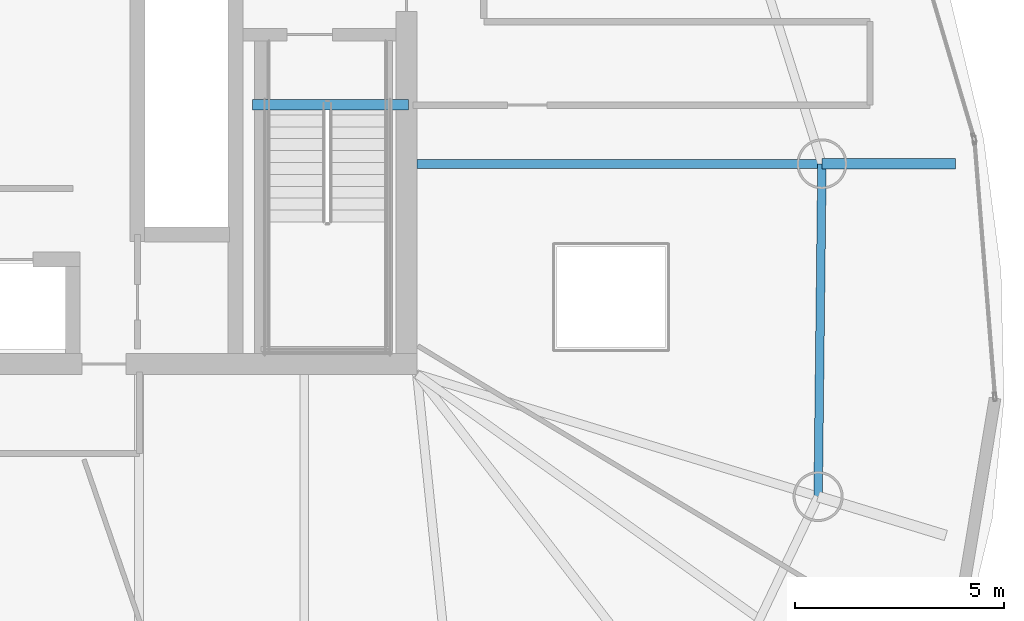
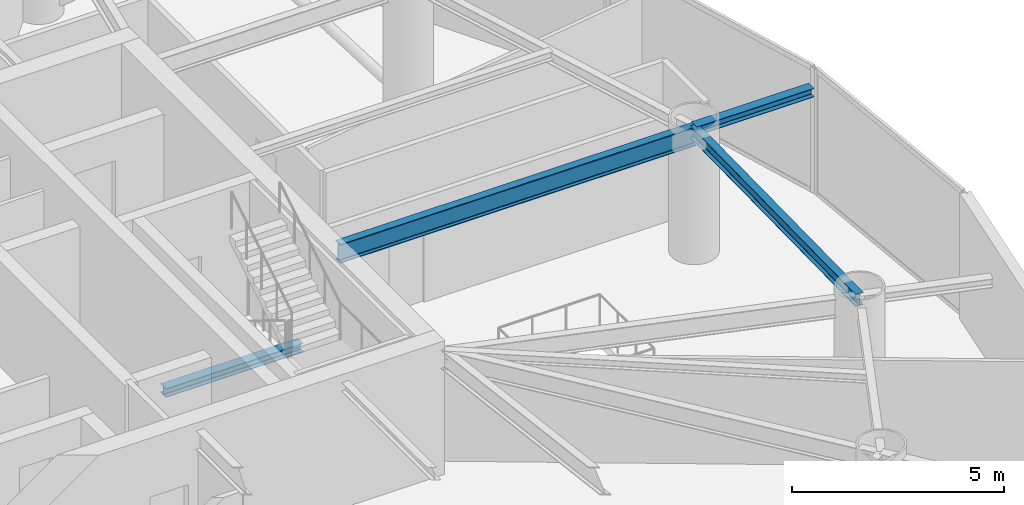
# One storey, part 8 of 21: 4 beams.
"""IFC4 building model written with IfcOpenShell, lengths in metres."""

from ifc_helpers import new_model, si_unit, direction, frame, origin, origin_2d, place, context, subcontext, project, spatial, i_section, extrude, material, material_profile, profile_set, type_object, element, save


model = new_model("IFC4")

# Units and contexts
model_context = context("Model", 3, precision=1e-05, world=origin(), true_north=direction((0.0, 1.0)))
body_context = subcontext(model_context, "Body", "Model", "MODEL_VIEW")
ifc_project = project(units=[si_unit("LENGTHUNIT", "METRE"), si_unit("AREAUNIT", "SQUARE_METRE"), si_unit("VOLUMEUNIT", "CUBIC_METRE"), si_unit("PLANEANGLEUNIT", "RADIAN"), si_unit("MASSUNIT", "GRAM", prefix="KILO")], contexts=[model_context])

# Site, building, storey
site_placement = place(None, origin())
site = spatial("IfcSite", under=ifc_project, at=site_placement, CompositionType="ELEMENT")
building_placement = place(site_placement, origin())
building = spatial("IfcBuilding", under=site, at=building_placement, Name="Bramvorn Convention Spire", CompositionType="ELEMENT")
storey_placement = place(building_placement, frame((0.0, 0.0, 186.60009765625)))
storey = spatial("IfcBuildingStorey", under=building, at=storey_placement, Name="L47", CompositionType="ELEMENT", Elevation=186.60009765625)

# Beams
ifc_material = material(Name="Steel CSA G40.21 Grade 350 (350W)", Category="steel")
ifc_material_profile_1 = material_profile(ifc_material, i_section(OverallWidth=0.25390625, OverallDepth=0.2529296875, WebThickness=0.008544921875, FlangeThickness=0.01416015625, FilletRadius=0.011962890625, at=origin_2d()))
ifc_profile_set_1 = profile_set([ifc_material_profile_1], Name="Steel CSA G40.21 Grade 350 (350W) - W250X73")
beam_type_1 = type_object("IfcBeamType", Name="BM-W250X73", PredefinedType="BEAM", material=ifc_profile_set_1)
beam_1_placement = place(storey_placement, frame((58.95458984375, 23.593505859375, 3.493408203125), z_axis=(1.0, 0.0, 0.0), x_axis=(0.0, 1.0, 0.0)))
element("IfcBeam", 1, at=beam_1_placement, inside=storey, type_object=beam_type_1, Name="L47 slab-edge cantilever tip beam MC03", PredefinedType="BEAM", context=body_context, shape_type="SweptSolid", body=[
    extrude(i_section(OverallWidth=0.25390625, OverallDepth=0.2529296875, WebThickness=0.008544921875, FlangeThickness=0.01416015625, FilletRadius=0.011962890625, at=origin_2d()), origin(), (0.0, 0.0, 1.0), 3.2001953125),
])
beam_2_placement = place(storey_placement, frame((45.31005859375, 25.010009765625, -0.126708984375), z_axis=(1.0, 0.0, 0.0), x_axis=(0.0, 1.0, 0.0)))
element("IfcBeam", 2, at=beam_2_placement, inside=storey, type_object=beam_type_1, Name="L47 ST2 stair arrival header beam", PredefinedType="BEAM", context=body_context, shape_type="SweptSolid", body=[
    extrude(i_section(OverallWidth=0.25390625, OverallDepth=0.2529296875, WebThickness=0.008544921875, FlangeThickness=0.01416015625, FilletRadius=0.011962890625, at=origin_2d()), origin(), (0.0, 0.0, 1.0), 3.739990234375),
])
ifc_material_profile_2 = material_profile(ifc_material, i_section(OverallWidth=0.205078125, OverallDepth=0.35400390625, WebThickness=0.009521484375, FlangeThickness=0.016845703125, FilletRadius=0.014892578125, at=origin_2d()))
ifc_profile_set_2 = profile_set([ifc_material_profile_2], Name="Steel CSA G40.21 Grade 350 (350W) - W360X79")
beam_type_2 = type_object("IfcBeamType", Name="BM-W360X79", PredefinedType="JOIST", material=ifc_profile_set_2)
beam_3_placement = place(storey_placement, frame((58.863037109375, 15.619384765625, 3.44287109375), z_axis=(0.011480475367, 0.999934097171, 0.0), x_axis=(-0.999934097171, 0.011480475367, 0.0)))
element("IfcBeam", 3, at=beam_3_placement, inside=storey, type_object=beam_type_2, Name="L47 mega-column ring beam 02", PredefinedType="JOIST", context=body_context, shape_type="SweptSolid", body=[
    extrude(i_section(OverallWidth=0.205078125, OverallDepth=0.35400390625, WebThickness=0.009521484375, FlangeThickness=0.016845703125, FilletRadius=0.014892578125, at=origin_2d()), origin(), (0.0, 0.0, 1.0), 7.974609375),
])
ifc_material_profile_3 = material_profile(ifc_material, i_section(OverallWidth=0.2119140625, OverallDepth=0.5439453125, WebThickness=0.01318359375, FlangeThickness=0.021240234375, FilletRadius=0.01904296875, at=origin_2d()))
ifc_profile_set_3 = profile_set([ifc_material_profile_3], Name="Steel CSA G40.21 Grade 350 (350W) - W530X123")
beam_type_3 = type_object("IfcBeamType", Name="BM-W530X123", PredefinedType="BEAM", material=ifc_profile_set_3)
beam_4_placement = place(storey_placement, frame((49.25, 23.593505859375, 3.347900390625), z_axis=(1.0, 0.0, 0.0), x_axis=(0.0, 1.0, 0.0)))
element("IfcBeam", 4, at=beam_4_placement, inside=storey, type_object=beam_type_3, Name="L47 radial floor girder MC03", PredefinedType="BEAM", context=body_context, shape_type="SweptSolid", body=[
    extrude(i_section(OverallWidth=0.2119140625, OverallDepth=0.5439453125, WebThickness=0.01318359375, FlangeThickness=0.021240234375, FilletRadius=0.01904296875, at=origin_2d()), origin(), (0.0, 0.0, 1.0), 9.70458984375),
])

save(model, "model.ifc")
